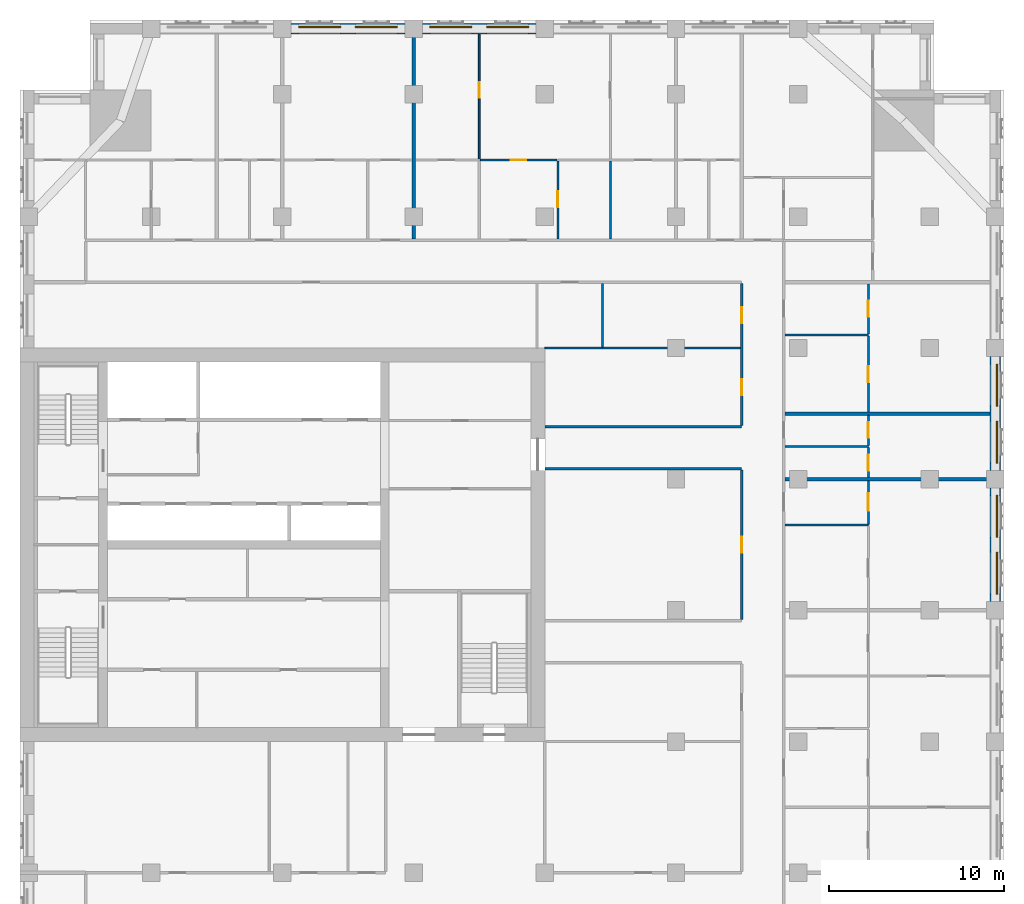
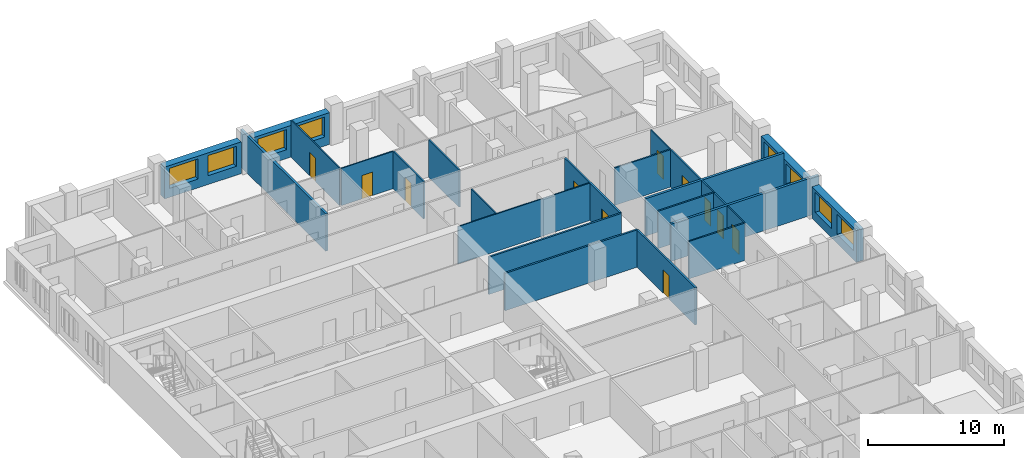
# One storey, part 10 of 14: 25 walls, 11 doors, 8 windows, 19 openings.
"""IFC4 building model written with IfcOpenShell, lengths in metres."""

from ifc_helpers import new_model, si_unit, direction, frame, frame_2d, origin, place, context, subcontext, project, spatial, rectangle, extrude, material, layer, layer_set, type_object, element, fill, save


model = new_model("IFC4")

# Units and contexts
model_context = context("Model", 3, precision=1e-05, world=origin(), true_north=direction((0.0, 1.0)))
body_context = subcontext(model_context, "Body", "Model", "MODEL_VIEW")
ifc_project = project(units=[si_unit("LENGTHUNIT", "METRE"), si_unit("AREAUNIT", "SQUARE_METRE"), si_unit("VOLUMEUNIT", "CUBIC_METRE"), si_unit("PLANEANGLEUNIT", "RADIAN"), si_unit("MASSUNIT", "GRAM", prefix="KILO")], contexts=[model_context])

# Site, building, storey
site_placement = place(None, origin())
site = spatial("IfcSite", under=ifc_project, at=site_placement, CompositionType="ELEMENT")
building_placement = place(site_placement, origin())
building = spatial("IfcBuilding", under=site, at=building_placement, Name="Tamorin Gate", CompositionType="ELEMENT")
storey_placement = place(building_placement, frame((0.0, 0.0, 155.39990234375)))
storey = spatial("IfcBuildingStorey", under=building, at=storey_placement, Name="L38", CompositionType="ELEMENT", Elevation=155.39990234375)

# Wall, openings, windows
ifc_material_1 = material(Name="Precast concrete C40/50", Category="concrete")
ifc_layer_1 = layer(ifc_material_1, 0.60009765625)
ifc_layer_set_1 = layer_set([ifc_layer_1], Name="Precast concrete C40/50")
wall_type_1 = type_object("IfcWallType", Name="Board-marked concrete facade panel 600", PredefinedType="SOLIDWALL", material=ifc_layer_set_1)
wall_1_placement = place(storey_placement, frame((85.75, 68.0, 0.0), z_axis=(0.0, 0.0, 1.0), x_axis=(0.0, 1.0, 0.0)))
wall_1 = element("IfcWall", 1, at=wall_1_placement, inside=storey, type_object=wall_type_1, Name="Facade panel", PredefinedType="SOLIDWALL", context=body_context, shape_type="SweptSolid", body=[
    extrude(rectangle(XDim=6.5, YDim=0.60009765625, at=frame_2d((3.25, 0.0))), origin(), (0.0, 0.0, 1.0), 2.85009765625),
])
opening_1_placement = place(wall_1_placement, frame((0.425048828125, 0.0, 0.800048828125)))
opening_1 = element("IfcOpeningElement", 2, at=opening_1_placement, cuts=wall_1, Name="Opening WN1", PredefinedType="OPENING", context=body_context, shape_type="SweptSolid", body=[
    extrude(rectangle(XDim=2.39990234375, YDim=1.800048828125, at=frame_2d((1.199951171875, 0.89990234375))), frame((0.0, 0.31005859375, 0.0), z_axis=(0.0, -1.0, 0.0), x_axis=(1.0, 0.0, 0.0)), (0.0, 0.0, 1.0), 0.6201171875),
])
opening_2_placement = place(wall_1_placement, frame((3.675048828125, 0.0, 0.800048828125)))
opening_2 = element("IfcOpeningElement", 3, at=opening_2_placement, cuts=wall_1, Name="Opening WN1", PredefinedType="OPENING", context=body_context, shape_type="SweptSolid", body=[
    extrude(rectangle(XDim=2.39990234375, YDim=1.800048828125, at=frame_2d((1.199951171875, 0.89990234375))), frame((0.0, 0.31005859375, 0.0), z_axis=(0.0, -1.0, 0.0), x_axis=(1.0, 0.0, 0.0)), (0.0, 0.0, 1.0), 0.6201171875),
])
ifc_material_2 = material(Name="Clear glass in aluminium frame", Category="aluminium")
window_type = type_object("IfcWindowType", Name="Deep-set window 2400x1800", PartitioningType="SINGLE_PANEL", PredefinedType="WINDOW", material=ifc_material_2)
window_1_placement = place(opening_1_placement, origin())
window_1 = element("IfcWindow", 4, at=window_1_placement, inside=storey, type_object=window_type, Name="Deep-set window", OverallHeight=1.800048828125, OverallWidth=2.39990234375, PartitioningType="SINGLE_PANEL", PredefinedType="WINDOW", context=body_context, shape_type="SweptSolid", body=[
    extrude(rectangle(XDim=2.39990234375, YDim=1.800048828125, at=frame_2d((1.199951171875, 0.89990234375))), frame((0.0, -0.070068359375, 0.0), z_axis=(0.0, -1.0, 0.0), x_axis=(1.0, 0.0, 0.0)), (0.0, 0.0, 1.0), 0.06005859375),
])
fill(opening_1, window_1)
window_2_placement = place(opening_2_placement, origin())
window_2 = element("IfcWindow", 5, at=window_2_placement, inside=storey, type_object=window_type, Name="Deep-set window", OverallHeight=1.800048828125, OverallWidth=2.39990234375, PartitioningType="SINGLE_PANEL", PredefinedType="WINDOW", context=body_context, shape_type="SweptSolid", body=[
    extrude(rectangle(XDim=2.39990234375, YDim=1.800048828125, at=frame_2d((1.199951171875, 0.89990234375))), frame((0.0, -0.070068359375, 0.0), z_axis=(0.0, -1.0, 0.0), x_axis=(1.0, 0.0, 0.0)), (0.0, 0.0, 1.0), 0.06005859375),
])
fill(opening_2, window_2)

wall_2_placement = place(storey_placement, frame((85.75, 75.5, 0.0), z_axis=(0.0, 0.0, 1.0), x_axis=(0.0, 1.0, 0.0)))
wall_2 = element("IfcWall", 6, at=wall_2_placement, inside=storey, type_object=wall_type_1, Name="Facade panel", PredefinedType="SOLIDWALL", context=body_context, shape_type="SweptSolid", body=[
    extrude(rectangle(XDim=6.5, YDim=0.60009765625, at=frame_2d((3.25, 0.0))), origin(), (0.0, 0.0, 1.0), 2.85009765625),
])
opening_3_placement = place(wall_2_placement, frame((0.425048828125, 0.0, 0.800048828125)))
opening_3 = element("IfcOpeningElement", 7, at=opening_3_placement, cuts=wall_2, Name="Opening WN1", PredefinedType="OPENING", context=body_context, shape_type="SweptSolid", body=[
    extrude(rectangle(XDim=2.39990234375, YDim=1.800048828125, at=frame_2d((1.199951171875, 0.89990234375))), frame((0.0, 0.31005859375, 0.0), z_axis=(0.0, -1.0, 0.0), x_axis=(1.0, 0.0, 0.0)), (0.0, 0.0, 1.0), 0.6201171875),
])
opening_4_placement = place(wall_2_placement, frame((3.675048828125, 0.0, 0.800048828125)))
opening_4 = element("IfcOpeningElement", 8, at=opening_4_placement, cuts=wall_2, Name="Opening WN1", PredefinedType="OPENING", context=body_context, shape_type="SweptSolid", body=[
    extrude(rectangle(XDim=2.39990234375, YDim=1.800048828125, at=frame_2d((1.199951171875, 0.89990234375))), frame((0.0, 0.31005859375, 0.0), z_axis=(0.0, -1.0, 0.0), x_axis=(1.0, 0.0, 0.0)), (0.0, 0.0, 1.0), 0.6201171875),
])
window_3_placement = place(opening_3_placement, origin())
window_3 = element("IfcWindow", 9, at=window_3_placement, inside=storey, type_object=window_type, Name="Deep-set window", OverallHeight=1.800048828125, OverallWidth=2.39990234375, PartitioningType="SINGLE_PANEL", PredefinedType="WINDOW", context=body_context, shape_type="SweptSolid", body=[
    extrude(rectangle(XDim=2.39990234375, YDim=1.800048828125, at=frame_2d((1.199951171875, 0.89990234375))), frame((0.0, -0.070068359375, 0.0), z_axis=(0.0, -1.0, 0.0), x_axis=(1.0, 0.0, 0.0)), (0.0, 0.0, 1.0), 0.06005859375),
])
fill(opening_3, window_3)
window_4_placement = place(opening_4_placement, origin())
window_4 = element("IfcWindow", 10, at=window_4_placement, inside=storey, type_object=window_type, Name="Deep-set window", OverallHeight=1.800048828125, OverallWidth=2.39990234375, PartitioningType="SINGLE_PANEL", PredefinedType="WINDOW", context=body_context, shape_type="SweptSolid", body=[
    extrude(rectangle(XDim=2.39990234375, YDim=1.800048828125, at=frame_2d((1.199951171875, 0.89990234375))), frame((0.0, -0.070068359375, 0.0), z_axis=(0.0, -1.0, 0.0), x_axis=(1.0, 0.0, 0.0)), (0.0, 0.0, 1.0), 0.06005859375),
])
fill(opening_4, window_4)

wall_3_placement = place(storey_placement, frame((59.5, 100.75, 0.0), z_axis=(0.0, 0.0, 1.0), x_axis=(-1.0, 0.0, 0.0)))
wall_3 = element("IfcWall", 11, at=wall_3_placement, inside=storey, type_object=wall_type_1, Name="Facade panel", PredefinedType="SOLIDWALL", context=body_context, shape_type="SweptSolid", body=[
    extrude(rectangle(XDim=6.5, YDim=0.60009765625, at=frame_2d((3.25, 0.0))), origin(), (0.0, 0.0, 1.0), 2.85009765625),
])
opening_5_placement = place(wall_3_placement, frame((3.675048828125, 0.0, 0.800048828125)))
opening_5 = element("IfcOpeningElement", 12, at=opening_5_placement, cuts=wall_3, Name="Opening WN1", PredefinedType="OPENING", context=body_context, shape_type="SweptSolid", body=[
    extrude(rectangle(XDim=2.39990234375, YDim=1.800048828125, at=frame_2d((1.199951171875, 0.89990234375))), frame((0.0, 0.31005859375, 0.0), z_axis=(0.0, -1.0, 0.0), x_axis=(1.0, 0.0, 0.0)), (0.0, 0.0, 1.0), 0.6201171875),
])
opening_6_placement = place(wall_3_placement, frame((0.425048828125, 0.0, 0.800048828125)))
opening_6 = element("IfcOpeningElement", 13, at=opening_6_placement, cuts=wall_3, Name="Opening WN1", PredefinedType="OPENING", context=body_context, shape_type="SweptSolid", body=[
    extrude(rectangle(XDim=2.39990234375, YDim=1.800048828125, at=frame_2d((1.199951171875, 0.89990234375))), frame((0.0, 0.31005859375, 0.0), z_axis=(0.0, -1.0, 0.0), x_axis=(1.0, 0.0, 0.0)), (0.0, 0.0, 1.0), 0.6201171875),
])
window_5_placement = place(opening_5_placement, origin())
window_5 = element("IfcWindow", 14, at=window_5_placement, inside=storey, type_object=window_type, Name="Deep-set window", OverallHeight=1.800048828125, OverallWidth=2.39990234375, PartitioningType="SINGLE_PANEL", PredefinedType="WINDOW", context=body_context, shape_type="SweptSolid", body=[
    extrude(rectangle(XDim=2.39990234375, YDim=1.800048828125, at=frame_2d((1.199951171875, 0.89990234375))), frame((0.0, -0.070068359375, 0.0), z_axis=(0.0, -1.0, 0.0), x_axis=(1.0, 0.0, 0.0)), (0.0, 0.0, 1.0), 0.06005859375),
])
fill(opening_5, window_5)
window_6_placement = place(opening_6_placement, origin())
window_6 = element("IfcWindow", 15, at=window_6_placement, inside=storey, type_object=window_type, Name="Deep-set window", OverallHeight=1.800048828125, OverallWidth=2.39990234375, PartitioningType="SINGLE_PANEL", PredefinedType="WINDOW", context=body_context, shape_type="SweptSolid", body=[
    extrude(rectangle(XDim=2.39990234375, YDim=1.800048828125, at=frame_2d((1.199951171875, 0.89990234375))), frame((0.0, -0.070068359375, 0.0), z_axis=(0.0, -1.0, 0.0), x_axis=(1.0, 0.0, 0.0)), (0.0, 0.0, 1.0), 0.06005859375),
])
fill(opening_6, window_6)

wall_4_placement = place(storey_placement, frame((52.0, 100.75, 0.0), z_axis=(0.0, 0.0, 1.0), x_axis=(-1.0, 0.0, 0.0)))
wall_4 = element("IfcWall", 16, at=wall_4_placement, inside=storey, type_object=wall_type_1, Name="Facade panel", PredefinedType="SOLIDWALL", context=body_context, shape_type="SweptSolid", body=[
    extrude(rectangle(XDim=6.5, YDim=0.60009765625, at=frame_2d((3.25, 0.0))), origin(), (0.0, 0.0, 1.0), 2.85009765625),
])
opening_7_placement = place(wall_4_placement, frame((3.675048828125, 0.0, 0.800048828125)))
opening_7 = element("IfcOpeningElement", 17, at=opening_7_placement, cuts=wall_4, Name="Opening WN1", PredefinedType="OPENING", context=body_context, shape_type="SweptSolid", body=[
    extrude(rectangle(XDim=2.39990234375, YDim=1.800048828125, at=frame_2d((1.199951171875, 0.89990234375))), frame((0.0, 0.31005859375, 0.0), z_axis=(0.0, -1.0, 0.0), x_axis=(1.0, 0.0, 0.0)), (0.0, 0.0, 1.0), 0.6201171875),
])
opening_8_placement = place(wall_4_placement, frame((0.425048828125, 0.0, 0.800048828125)))
opening_8 = element("IfcOpeningElement", 18, at=opening_8_placement, cuts=wall_4, Name="Opening WN1", PredefinedType="OPENING", context=body_context, shape_type="SweptSolid", body=[
    extrude(rectangle(XDim=2.39990234375, YDim=1.800048828125, at=frame_2d((1.199951171875, 0.89990234375))), frame((0.0, 0.31005859375, 0.0), z_axis=(0.0, -1.0, 0.0), x_axis=(1.0, 0.0, 0.0)), (0.0, 0.0, 1.0), 0.6201171875),
])
window_7_placement = place(opening_7_placement, origin())
window_7 = element("IfcWindow", 19, at=window_7_placement, inside=storey, type_object=window_type, Name="Deep-set window", OverallHeight=1.800048828125, OverallWidth=2.39990234375, PartitioningType="SINGLE_PANEL", PredefinedType="WINDOW", context=body_context, shape_type="SweptSolid", body=[
    extrude(rectangle(XDim=2.39990234375, YDim=1.800048828125, at=frame_2d((1.199951171875, 0.89990234375))), frame((0.0, -0.070068359375, 0.0), z_axis=(0.0, -1.0, 0.0), x_axis=(1.0, 0.0, 0.0)), (0.0, 0.0, 1.0), 0.06005859375),
])
fill(opening_7, window_7)
window_8_placement = place(opening_8_placement, origin())
window_8 = element("IfcWindow", 20, at=window_8_placement, inside=storey, type_object=window_type, Name="Deep-set window", OverallHeight=1.800048828125, OverallWidth=2.39990234375, PartitioningType="SINGLE_PANEL", PredefinedType="WINDOW", context=body_context, shape_type="SweptSolid", body=[
    extrude(rectangle(XDim=2.39990234375, YDim=1.800048828125, at=frame_2d((1.199951171875, 0.89990234375))), frame((0.0, -0.070068359375, 0.0), z_axis=(0.0, -1.0, 0.0), x_axis=(1.0, 0.0, 0.0)), (0.0, 0.0, 1.0), 0.06005859375),
])
fill(opening_8, window_8)

# Wall, opening, door
ifc_material_3 = material(Name="Gypsum board partition")
ifc_layer_2 = layer(ifc_material_3, 0.14990234375)
ifc_layer_set_2 = layer_set([ifc_layer_2], Name="Corridor wall 150")
wall_type_2 = type_object("IfcWallType", Name="Corridor wall 150", PredefinedType="PARTITIONING", material=ifc_layer_set_2)
wall_5_placement = place(storey_placement, frame((71.25, 66.97509765625, 0.0), z_axis=(0.0, 0.0, 1.0), x_axis=(0.0, 1.0, 0.0)))
wall_5 = element("IfcWall", 21, at=wall_5_placement, inside=storey, type_object=wall_type_2, Name="Corridor wall 150", PredefinedType="PARTITIONING", context=body_context, shape_type="SweptSolid", body=[
    extrude(rectangle(XDim=8.5498046875, YDim=0.14990234375, at=frame_2d((4.27490234375, 0.0))), origin(), (0.0, 0.0, 1.0), 3.35009765625),
])
opening_9_placement = place(wall_5_placement, frame((3.824951171875, 0.0, 0.0)))
opening_9 = element("IfcOpeningElement", 22, at=opening_9_placement, cuts=wall_5, Name="Opening DS4079", PredefinedType="OPENING", context=body_context, shape_type="SweptSolid", body=[
    extrude(rectangle(XDim=0.89990234375, YDim=2.10009765625, at=frame_2d((0.449951171875, 1.050048828125))), frame((0.0, 0.0849609375, 0.0), z_axis=(0.0, -1.0, 0.0), x_axis=(1.0, 0.0, 0.0)), (0.0, 0.0, 1.0), 0.169921875),
])
ifc_material_4 = material(Name="Timber door leaf", Category="wood")
door_type_1 = type_object("IfcDoorType", Name="Door 900 x 2100 FD30S", OperationType="NOTDEFINED", PredefinedType="DOOR", material=ifc_material_4)
door_1_placement = place(opening_9_placement, origin())
door_1 = element("IfcDoor", 23, at=door_1_placement, inside=storey, type_object=door_type_1, Name="Door DS4079", OperationType="SINGLE_SWING_LEFT", OverallHeight=2.10009765625, OverallWidth=0.89990234375, PredefinedType="DOOR", context=body_context, shape_type="SweptSolid", body=[
    extrude(rectangle(XDim=0.89990234375, YDim=2.10009765625, at=frame_2d((0.449951171875, 1.050048828125))), frame((0.0, 0.02490234375, 0.0), z_axis=(0.0, -1.0, 0.0), x_axis=(1.0, 0.0, 0.0)), (0.0, 0.0, 1.0), 0.050048828125),
])
fill(opening_9, door_1)

# Wall, openings, doors
wall_6_placement = place(storey_placement, frame((71.25, 78.074951171875, 0.0), z_axis=(0.0, 0.0, 1.0), x_axis=(0.0, 1.0, 0.0)))
wall_6 = element("IfcWall", 24, at=wall_6_placement, inside=storey, type_object=wall_type_2, Name="Corridor wall 150", PredefinedType="PARTITIONING", context=body_context, shape_type="SweptSolid", body=[
    extrude(rectangle(XDim=8.10009765625, YDim=0.14990234375, at=frame_2d((4.050048828125, 0.0))), origin(), (0.0, 0.0, 1.0), 3.35009765625),
])
opening_10_placement = place(wall_6_placement, frame((5.85009765625, 0.0, 0.0)))
opening_10 = element("IfcOpeningElement", 25, at=opening_10_placement, cuts=wall_6, Name="Opening DS4077", PredefinedType="OPENING", context=body_context, shape_type="SweptSolid", body=[
    extrude(rectangle(XDim=0.89990234375, YDim=2.10009765625, at=frame_2d((0.449951171875, 1.050048828125))), frame((0.0, 0.0849609375, 0.0), z_axis=(0.0, -1.0, 0.0), x_axis=(1.0, 0.0, 0.0)), (0.0, 0.0, 1.0), 0.169921875),
])
opening_11_placement = place(wall_6_placement, frame((1.72509765625, 0.0, 0.0)))
opening_11 = element("IfcOpeningElement", 26, at=opening_11_placement, cuts=wall_6, Name="Opening DS4080", PredefinedType="OPENING", context=body_context, shape_type="SweptSolid", body=[
    extrude(rectangle(XDim=0.89990234375, YDim=2.10009765625, at=frame_2d((0.449951171875, 1.050048828125))), frame((0.0, 0.0849609375, 0.0), z_axis=(0.0, -1.0, 0.0), x_axis=(1.0, 0.0, 0.0)), (0.0, 0.0, 1.0), 0.169921875),
])
door_2_placement = place(opening_10_placement, origin())
door_2 = element("IfcDoor", 27, at=door_2_placement, inside=storey, type_object=door_type_1, Name="Door DS4077", OperationType="SINGLE_SWING_LEFT", OverallHeight=2.10009765625, OverallWidth=0.89990234375, PredefinedType="DOOR", context=body_context, shape_type="SweptSolid", body=[
    extrude(rectangle(XDim=0.89990234375, YDim=2.10009765625, at=frame_2d((0.449951171875, 1.050048828125))), frame((0.0, 0.02490234375, 0.0), z_axis=(0.0, -1.0, 0.0), x_axis=(1.0, 0.0, 0.0)), (0.0, 0.0, 1.0), 0.050048828125),
])
fill(opening_10, door_2)
door_3_placement = place(opening_11_placement, origin())
door_3 = element("IfcDoor", 28, at=door_3_placement, inside=storey, type_object=door_type_1, Name="Door DS4080", OperationType="SINGLE_SWING_LEFT", OverallHeight=2.10009765625, OverallWidth=0.89990234375, PredefinedType="DOOR", context=body_context, shape_type="SweptSolid", body=[
    extrude(rectangle(XDim=0.89990234375, YDim=2.10009765625, at=frame_2d((0.449951171875, 1.050048828125))), frame((0.0, 0.02490234375, 0.0), z_axis=(0.0, -1.0, 0.0), x_axis=(1.0, 0.0, 0.0)), (0.0, 0.0, 1.0), 0.050048828125),
])
fill(opening_11, door_3)

# Walls
ifc_layer_3 = layer(ifc_material_3, 0.199951171875)
ifc_layer_set_3 = layer_set([ifc_layer_3], Name="Demising wall 200")
wall_type_3 = type_object("IfcWallType", Name="Demising wall 200", PredefinedType="PARTITIONING", material=ifc_layer_set_3)
wall_7_placement = place(storey_placement, frame((73.72509765625, 75.0, 0.0), z_axis=(0.0, 0.0, 1.0), x_axis=(1.0, 0.0, 0.0)))
element("IfcWall", 29, at=wall_7_placement, inside=storey, type_object=wall_type_3, Name="Demising wall 200", PredefinedType="PARTITIONING", context=body_context, shape_type="SweptSolid", body=[
    extrude(rectangle(XDim=12.52490234375, YDim=0.199951171875, at=frame_2d((6.262451171875, 0.0))), origin(), (0.0, 0.0, 1.0), 3.35009765625),
])
wall_8_placement = place(storey_placement, frame((73.72509765625, 78.75, 0.0), z_axis=(0.0, 0.0, 1.0), x_axis=(1.0, 0.0, 0.0)))
element("IfcWall", 30, at=wall_8_placement, inside=storey, type_object=wall_type_3, Name="Demising wall 200", PredefinedType="PARTITIONING", context=body_context, shape_type="SweptSolid", body=[
    extrude(rectangle(XDim=11.71484375, YDim=0.199951171875, at=frame_2d((5.857421875, 0.0))), origin(), (0.0, 0.0, 1.0), 3.35009765625),
])
wall_9_placement = place(storey_placement, frame((52.5, 88.72509765625, 0.0), z_axis=(0.0, 0.0, 1.0), x_axis=(0.0, 1.0, 0.0)))
element("IfcWall", 31, at=wall_9_placement, inside=storey, type_object=wall_type_3, Name="Demising wall 200", PredefinedType="PARTITIONING", context=body_context, shape_type="SweptSolid", body=[
    extrude(rectangle(XDim=12.52490234375, YDim=0.199951171875, at=frame_2d((6.262451171875, 0.0))), origin(), (0.0, 0.0, 1.0), 3.35009765625),
])
ifc_layer_4 = layer(ifc_material_3, 0.14990234375)
ifc_layer_set_4 = layer_set([ifc_layer_4], Name="Lobby wall 150")
wall_type_4 = type_object("IfcWallType", Name="Lobby wall 150", PredefinedType="PARTITIONING", material=ifc_layer_set_4)
for number, where, z_axis, x_axis, name in (
    (32, (60.0, 75.60009765625, 0.0), (0.0, 0.0, 1.0), (1.0, 0.0, 0.0), "Lobby wall 150"),
    (33, (60.0, 78.0, 0.0), (0.0, 0.0, 1.0), (1.0, 0.0, 0.0), "Lobby wall 150"),
):
    element("IfcWall", number, at=place(storey_placement, frame(where, z_axis=z_axis, x_axis=x_axis)), inside=storey, type_object=wall_type_4, Name=name, PredefinedType="PARTITIONING", context=body_context, shape_type="SweptSolid", body=[
        extrude(rectangle(XDim=11.25, YDim=0.14990234375, at=frame_2d((5.625, 0.0))), origin(), (0.0, 0.0, 1.0), 3.35009765625),
    ])
ifc_layer_5 = layer(ifc_material_3, 0.10009765625)
ifc_layer_set_5 = layer_set([ifc_layer_5], Name="Room partition 100")
wall_type_5 = type_object("IfcWallType", Name="Room partition 100", PredefinedType="PARTITIONING", material=ifc_layer_set_5)
wall_10_placement = place(storey_placement, frame((60.0, 82.5, 0.0), z_axis=(0.0, 0.0, 1.0), x_axis=(1.0, 0.0, 0.0)))
element("IfcWall", 34, at=wall_10_placement, inside=storey, type_object=wall_type_5, Name="Room partition 100", PredefinedType="PARTITIONING", context=body_context, shape_type="SweptSolid", body=[
    extrude(rectangle(XDim=11.175048828125, YDim=0.10009765625, at=frame_2d((5.58740234375, 0.0))), origin(), (0.0, 0.0, 1.0), 3.35009765625),
])

# Wall, opening, door
wall_11_placement = place(storey_placement, frame((56.3125, 93.25, 0.0), z_axis=(0.0, 0.0, 1.0), x_axis=(1.0, 0.0, 0.0)))
wall_11 = element("IfcWall", 35, at=wall_11_placement, inside=storey, type_object=wall_type_5, Name="Room partition 100", PredefinedType="PARTITIONING", context=body_context, shape_type="SweptSolid", body=[
    extrude(rectangle(XDim=4.375, YDim=0.10009765625, at=frame_2d((2.1875, 0.0))), origin(), (0.0, 0.0, 1.0), 3.35009765625),
])
opening_12_placement = place(wall_11_placement, frame((1.737548828125, 0.0, 0.0)))
opening_12 = element("IfcOpeningElement", 36, at=opening_12_placement, cuts=wall_11, Name="Opening DS4035", PredefinedType="OPENING", context=body_context, shape_type="SweptSolid", body=[
    extrude(rectangle(XDim=0.89990234375, YDim=2.10009765625, at=frame_2d((0.449951171875, 1.050048828125))), frame((0.0, 0.06005859375, 0.0), z_axis=(0.0, -1.0, 0.0), x_axis=(1.0, 0.0, 0.0)), (0.0, 0.0, 1.0), 0.1201171875),
])
door_type_2 = type_object("IfcDoorType", Name="Door 900 x 2100", OperationType="NOTDEFINED", PredefinedType="DOOR", material=ifc_material_4)
door_4_placement = place(opening_12_placement, origin())
door_4 = element("IfcDoor", 37, at=door_4_placement, inside=storey, type_object=door_type_2, Name="Door DS4035", OperationType="SINGLE_SWING_RIGHT", OverallHeight=2.10009765625, OverallWidth=0.89990234375, PredefinedType="DOOR", context=body_context, shape_type="SweptSolid", body=[
    extrude(rectangle(XDim=0.89990234375, YDim=2.10009765625, at=frame_2d((0.449951171875, 1.050048828125))), frame((0.0, 0.02490234375, 0.0), z_axis=(0.0, -1.0, 0.0), x_axis=(1.0, 0.0, 0.0)), (0.0, 0.0, 1.0), 0.050048828125),
])
fill(opening_12, door_4)

wall_12_placement = place(storey_placement, frame((56.25, 93.3125, 0.0), z_axis=(0.0, 0.0, 1.0), x_axis=(0.0, 1.0, 0.0)))
wall_12 = element("IfcWall", 38, at=wall_12_placement, inside=storey, type_object=wall_type_5, Name="Room partition 100", PredefinedType="PARTITIONING", context=body_context, shape_type="SweptSolid", body=[
    extrude(rectangle(XDim=7.12744140625, YDim=0.10009765625, at=frame_2d((3.563720703125, 0.0))), origin(), (0.0, 0.0, 1.0), 3.35009765625),
])
opening_13_placement = place(wall_12_placement, frame((3.487548828125, 0.0, 0.0)))
opening_13 = element("IfcOpeningElement", 39, at=opening_13_placement, cuts=wall_12, Name="Opening DS4038", PredefinedType="OPENING", context=body_context, shape_type="SweptSolid", body=[
    extrude(rectangle(XDim=0.89990234375, YDim=2.10009765625, at=frame_2d((0.449951171875, 1.050048828125))), frame((0.0, 0.06005859375, 0.0), z_axis=(0.0, -1.0, 0.0), x_axis=(1.0, 0.0, 0.0)), (0.0, 0.0, 1.0), 0.1201171875),
])
door_5_placement = place(opening_13_placement, origin())
door_5 = element("IfcDoor", 40, at=door_5_placement, inside=storey, type_object=door_type_2, Name="Door DS4038", OperationType="SINGLE_SWING_LEFT", OverallHeight=2.10009765625, OverallWidth=0.89990234375, PredefinedType="DOOR", context=body_context, shape_type="SweptSolid", body=[
    extrude(rectangle(XDim=0.89990234375, YDim=2.10009765625, at=frame_2d((0.449951171875, 1.050048828125))), frame((0.0, 0.02490234375, 0.0), z_axis=(0.0, -1.0, 0.0), x_axis=(1.0, 0.0, 0.0)), (0.0, 0.0, 1.0), 0.050048828125),
])
fill(opening_13, door_5)

# Wall
wall_13_placement = place(storey_placement, frame((63.300048828125, 82.550048828125, 0.0), z_axis=(0.0, 0.0, 1.0), x_axis=(0.0, 1.0, 0.0)))
element("IfcWall", 41, at=wall_13_placement, inside=storey, type_object=wall_type_5, Name="Room partition 100", PredefinedType="PARTITIONING", context=body_context, shape_type="SweptSolid", body=[
    extrude(rectangle(XDim=3.625, YDim=0.10009765625, at=frame_2d((1.8125, 0.0))), origin(), (0.0, 0.0, 1.0), 3.35009765625),
])

# Wall, opening, door
wall_14_placement = place(storey_placement, frame((78.5, 72.4375, 0.0), z_axis=(0.0, 0.0, 1.0), x_axis=(0.0, 1.0, 0.0)))
wall_14 = element("IfcWall", 42, at=wall_14_placement, inside=storey, type_object=wall_type_5, Name="Room partition 100", PredefinedType="PARTITIONING", context=body_context, shape_type="SweptSolid", body=[
    extrude(rectangle(XDim=2.46240234375, YDim=0.10009765625, at=frame_2d((1.231201171875, 0.0))), origin(), (0.0, 0.0, 1.0), 3.35009765625),
])
opening_14_placement = place(wall_14_placement, frame((0.75, 0.0, 0.0)))
opening_14 = element("IfcOpeningElement", 43, at=opening_14_placement, cuts=wall_14, Name="Opening DS4052", PredefinedType="OPENING", context=body_context, shape_type="SweptSolid", body=[
    extrude(rectangle(XDim=1.0, YDim=2.10009765625, at=frame_2d((0.5, 1.050048828125))), frame((0.0, 0.06005859375, 0.0), z_axis=(0.0, -1.0, 0.0), x_axis=(1.0, 0.0, 0.0)), (0.0, 0.0, 1.0), 0.1201171875),
])
door_type_3 = type_object("IfcDoorType", Name="Door 1000 x 2100", OperationType="NOTDEFINED", PredefinedType="DOOR", material=ifc_material_4)
door_6_placement = place(opening_14_placement, origin())
door_6 = element("IfcDoor", 44, at=door_6_placement, inside=storey, type_object=door_type_3, Name="Door DS4052", OperationType="SINGLE_SWING_LEFT", OverallHeight=2.10009765625, OverallWidth=1.0, PredefinedType="DOOR", context=body_context, shape_type="SweptSolid", body=[
    extrude(rectangle(XDim=1.0, YDim=2.10009765625, at=frame_2d((0.5, 1.050048828125))), frame((0.0, 0.02490234375, 0.0), z_axis=(0.0, -1.0, 0.0), x_axis=(1.0, 0.0, 0.0)), (0.0, 0.0, 1.0), 0.050048828125),
])
fill(opening_14, door_6)

wall_15_placement = place(storey_placement, frame((78.5, 76.9375, 0.0), z_axis=(0.0, 0.0, 1.0), x_axis=(0.0, 1.0, 0.0)))
wall_15 = element("IfcWall", 45, at=wall_15_placement, inside=storey, type_object=wall_type_5, Name="Room partition 100", PredefinedType="PARTITIONING", context=body_context, shape_type="SweptSolid", body=[
    extrude(rectangle(XDim=1.71240234375, YDim=0.10009765625, at=frame_2d((0.856201171875, 0.0))), origin(), (0.0, 0.0, 1.0), 3.35009765625),
])
opening_15_placement = place(wall_15_placement, frame((0.425048828125, 0.0, 0.0)))
opening_15 = element("IfcOpeningElement", 46, at=opening_15_placement, cuts=wall_15, Name="Opening DS4055", PredefinedType="OPENING", context=body_context, shape_type="SweptSolid", body=[
    extrude(rectangle(XDim=0.89990234375, YDim=2.10009765625, at=frame_2d((0.449951171875, 1.050048828125))), frame((0.0, 0.06005859375, 0.0), z_axis=(0.0, -1.0, 0.0), x_axis=(1.0, 0.0, 0.0)), (0.0, 0.0, 1.0), 0.1201171875),
])
door_7_placement = place(opening_15_placement, origin())
door_7 = element("IfcDoor", 47, at=door_7_placement, inside=storey, type_object=door_type_2, Name="Door DS4055", OperationType="SINGLE_SWING_LEFT", OverallHeight=2.10009765625, OverallWidth=0.89990234375, PredefinedType="DOOR", context=body_context, shape_type="SweptSolid", body=[
    extrude(rectangle(XDim=0.89990234375, YDim=2.10009765625, at=frame_2d((0.449951171875, 1.050048828125))), frame((0.0, 0.02490234375, 0.0), z_axis=(0.0, -1.0, 0.0), x_axis=(1.0, 0.0, 0.0)), (0.0, 0.0, 1.0), 0.050048828125),
])
fill(opening_15, door_7)

wall_16_placement = place(storey_placement, frame((78.5, 83.3125, 0.0), z_axis=(0.0, 0.0, 1.0), x_axis=(0.0, 1.0, 0.0)))
wall_16 = element("IfcWall", 48, at=wall_16_placement, inside=storey, type_object=wall_type_5, Name="Room partition 100", PredefinedType="PARTITIONING", context=body_context, shape_type="SweptSolid", body=[
    extrude(rectangle(XDim=2.83740234375, YDim=0.10009765625, at=frame_2d((1.418701171875, 0.0))), origin(), (0.0, 0.0, 1.0), 3.35009765625),
])
opening_16_placement = place(wall_16_placement, frame((0.987548828125, 0.0, 0.0)))
opening_16 = element("IfcOpeningElement", 49, at=opening_16_placement, cuts=wall_16, Name="Opening DS4058", PredefinedType="OPENING", context=body_context, shape_type="SweptSolid", body=[
    extrude(rectangle(XDim=0.89990234375, YDim=2.10009765625, at=frame_2d((0.449951171875, 1.050048828125))), frame((0.0, 0.06005859375, 0.0), z_axis=(0.0, -1.0, 0.0), x_axis=(1.0, 0.0, 0.0)), (0.0, 0.0, 1.0), 0.1201171875),
])
door_8_placement = place(opening_16_placement, origin())
door_8 = element("IfcDoor", 50, at=door_8_placement, inside=storey, type_object=door_type_2, Name="Door DS4058", OperationType="SINGLE_SWING_LEFT", OverallHeight=2.10009765625, OverallWidth=0.89990234375, PredefinedType="DOOR", context=body_context, shape_type="SweptSolid", body=[
    extrude(rectangle(XDim=0.89990234375, YDim=2.10009765625, at=frame_2d((0.449951171875, 1.050048828125))), frame((0.0, 0.02490234375, 0.0), z_axis=(0.0, -1.0, 0.0), x_axis=(1.0, 0.0, 0.0)), (0.0, 0.0, 1.0), 0.050048828125),
])
fill(opening_16, door_8)

# Walls
ifc_layer_6 = layer(ifc_material_3, 0.125)
ifc_layer_set_6 = layer_set([ifc_layer_6], Name="Wet wall 125")
wall_type_6 = type_object("IfcWallType", Name="Wet wall 125", PredefinedType="PARTITIONING", material=ifc_layer_set_6)
for number, where, z_axis, x_axis, name in (
    (51, (73.72509765625, 72.375, 0.0), (0.0, 0.0, 1.0), (1.0, 0.0, 0.0), "Wet wall 125"),
    (52, (73.72509765625, 76.875, 0.0), (0.0, 0.0, 1.0), (1.0, 0.0, 0.0), "Wet wall 125"),
    (53, (73.72509765625, 83.25, 0.0), (0.0, 0.0, 1.0), (1.0, 0.0, 0.0), "Wet wall 125"),
):
    element("IfcWall", number, at=place(storey_placement, frame(where, z_axis=z_axis, x_axis=x_axis)), inside=storey, type_object=wall_type_6, Name=name, PredefinedType="PARTITIONING", context=body_context, shape_type="SweptSolid", body=[
        extrude(rectangle(XDim=4.77490234375, YDim=0.125, at=frame_2d((2.387451171875, 0.0))), origin(), (0.0, 0.0, 1.0), 3.35009765625),
    ])

# Wall, opening, door
wall_17_placement = place(storey_placement, frame((60.75, 88.72509765625, 0.0), z_axis=(0.0, 0.0, 1.0), x_axis=(0.0, 1.0, 0.0)))
wall_17 = element("IfcWall", 54, at=wall_17_placement, inside=storey, type_object=wall_type_6, Name="Wet wall 125", PredefinedType="PARTITIONING", context=body_context, shape_type="SweptSolid", body=[
    extrude(rectangle(XDim=4.46240234375, YDim=0.125, at=frame_2d((2.231201171875, 0.0))), origin(), (0.0, 0.0, 1.0), 3.35009765625),
])
opening_17_placement = place(wall_17_placement, frame((1.824951171875, 0.0, 0.0)))
opening_17 = element("IfcOpeningElement", 55, at=opening_17_placement, cuts=wall_17, Name="Opening DS4036", PredefinedType="OPENING", context=body_context, shape_type="SweptSolid", body=[
    extrude(rectangle(XDim=0.89990234375, YDim=2.10009765625, at=frame_2d((0.449951171875, 1.050048828125))), frame((0.0, 0.072509765625, 0.0), z_axis=(0.0, -1.0, 0.0), x_axis=(1.0, 0.0, 0.0)), (0.0, 0.0, 1.0), 0.14501953125),
])
door_9_placement = place(opening_17_placement, origin())
door_9 = element("IfcDoor", 56, at=door_9_placement, inside=storey, type_object=door_type_2, Name="Door DS4036", OperationType="SINGLE_SWING_LEFT", OverallHeight=2.10009765625, OverallWidth=0.89990234375, PredefinedType="DOOR", context=body_context, shape_type="SweptSolid", body=[
    extrude(rectangle(XDim=0.89990234375, YDim=2.10009765625, at=frame_2d((0.449951171875, 1.050048828125))), frame((0.0, 0.02490234375, 0.0), z_axis=(0.0, -1.0, 0.0), x_axis=(1.0, 0.0, 0.0)), (0.0, 0.0, 1.0), 0.050048828125),
])
fill(opening_17, door_9)

# Wall
wall_18_placement = place(storey_placement, frame((63.75, 88.72509765625, 0.0), z_axis=(0.0, 0.0, 1.0), x_axis=(0.0, 1.0, 0.0)))
element("IfcWall", 57, at=wall_18_placement, inside=storey, type_object=wall_type_6, Name="Wet wall 125", PredefinedType="PARTITIONING", context=body_context, shape_type="SweptSolid", body=[
    extrude(rectangle(XDim=4.46240234375, YDim=0.125, at=frame_2d((2.231201171875, 0.0))), origin(), (0.0, 0.0, 1.0), 3.35009765625),
])

# Wall, opening, door
wall_19_placement = place(storey_placement, frame((78.5, 75.10009765625, 0.0), z_axis=(0.0, 0.0, 1.0), x_axis=(0.0, 1.0, 0.0)))
wall_19 = element("IfcWall", 58, at=wall_19_placement, inside=storey, type_object=wall_type_6, Name="Wet wall 125", PredefinedType="PARTITIONING", context=body_context, shape_type="SweptSolid", body=[
    extrude(rectangle(XDim=1.71240234375, YDim=0.125, at=frame_2d((0.856201171875, 0.0))), origin(), (0.0, 0.0, 1.0), 3.35009765625),
])
opening_18_placement = place(wall_19_placement, frame((0.387451171875, 0.0, 0.0)))
opening_18 = element("IfcOpeningElement", 59, at=opening_18_placement, cuts=wall_19, Name="Opening DS4053", PredefinedType="OPENING", context=body_context, shape_type="SweptSolid", body=[
    extrude(rectangle(XDim=0.89990234375, YDim=2.10009765625, at=frame_2d((0.449951171875, 1.050048828125))), frame((0.0, 0.072509765625, 0.0), z_axis=(0.0, -1.0, 0.0), x_axis=(1.0, 0.0, 0.0)), (0.0, 0.0, 1.0), 0.14501953125),
])
door_10_placement = place(opening_18_placement, origin())
door_10 = element("IfcDoor", 60, at=door_10_placement, inside=storey, type_object=door_type_2, Name="Door DS4053", OperationType="SINGLE_SWING_LEFT", OverallHeight=2.10009765625, OverallWidth=0.89990234375, PredefinedType="DOOR", context=body_context, shape_type="SweptSolid", body=[
    extrude(rectangle(XDim=0.89990234375, YDim=2.10009765625, at=frame_2d((0.449951171875, 1.050048828125))), frame((0.0, 0.02490234375, 0.0), z_axis=(0.0, -1.0, 0.0), x_axis=(1.0, 0.0, 0.0)), (0.0, 0.0, 1.0), 0.050048828125),
])
fill(opening_18, door_10)

wall_20_placement = place(storey_placement, frame((78.5, 78.85009765625, 0.0), z_axis=(0.0, 0.0, 1.0), x_axis=(0.0, 1.0, 0.0)))
wall_20 = element("IfcWall", 61, at=wall_20_placement, inside=storey, type_object=wall_type_6, Name="Wet wall 125", PredefinedType="PARTITIONING", context=body_context, shape_type="SweptSolid", body=[
    extrude(rectangle(XDim=4.33740234375, YDim=0.125, at=frame_2d((2.168701171875, 0.0))), origin(), (0.0, 0.0, 1.0), 3.35009765625),
])
opening_19_placement = place(wall_20_placement, frame((1.699951171875, 0.0, 0.0)))
opening_19 = element("IfcOpeningElement", 62, at=opening_19_placement, cuts=wall_20, Name="Opening DS4056", PredefinedType="OPENING", context=body_context, shape_type="SweptSolid", body=[
    extrude(rectangle(XDim=0.89990234375, YDim=2.10009765625, at=frame_2d((0.449951171875, 1.050048828125))), frame((0.0, 0.072509765625, 0.0), z_axis=(0.0, -1.0, 0.0), x_axis=(1.0, 0.0, 0.0)), (0.0, 0.0, 1.0), 0.14501953125),
])
door_11_placement = place(opening_19_placement, origin())
door_11 = element("IfcDoor", 63, at=door_11_placement, inside=storey, type_object=door_type_2, Name="Door DS4056", OperationType="SINGLE_SWING_LEFT", OverallHeight=2.10009765625, OverallWidth=0.89990234375, PredefinedType="DOOR", context=body_context, shape_type="SweptSolid", body=[
    extrude(rectangle(XDim=0.89990234375, YDim=2.10009765625, at=frame_2d((0.449951171875, 1.050048828125))), frame((0.0, 0.02490234375, 0.0), z_axis=(0.0, -1.0, 0.0), x_axis=(1.0, 0.0, 0.0)), (0.0, 0.0, 1.0), 0.050048828125),
])
fill(opening_19, door_11)

save(model, "model.ifc")
